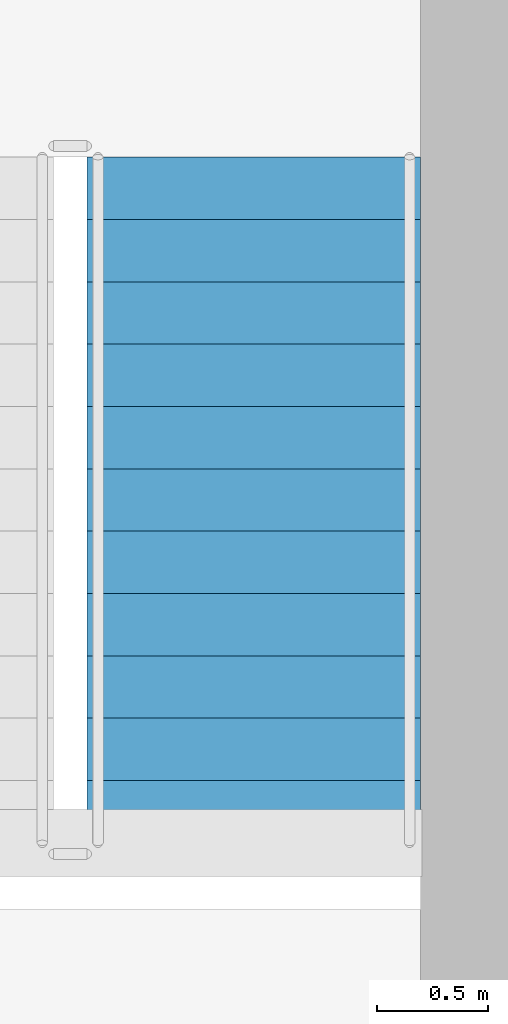
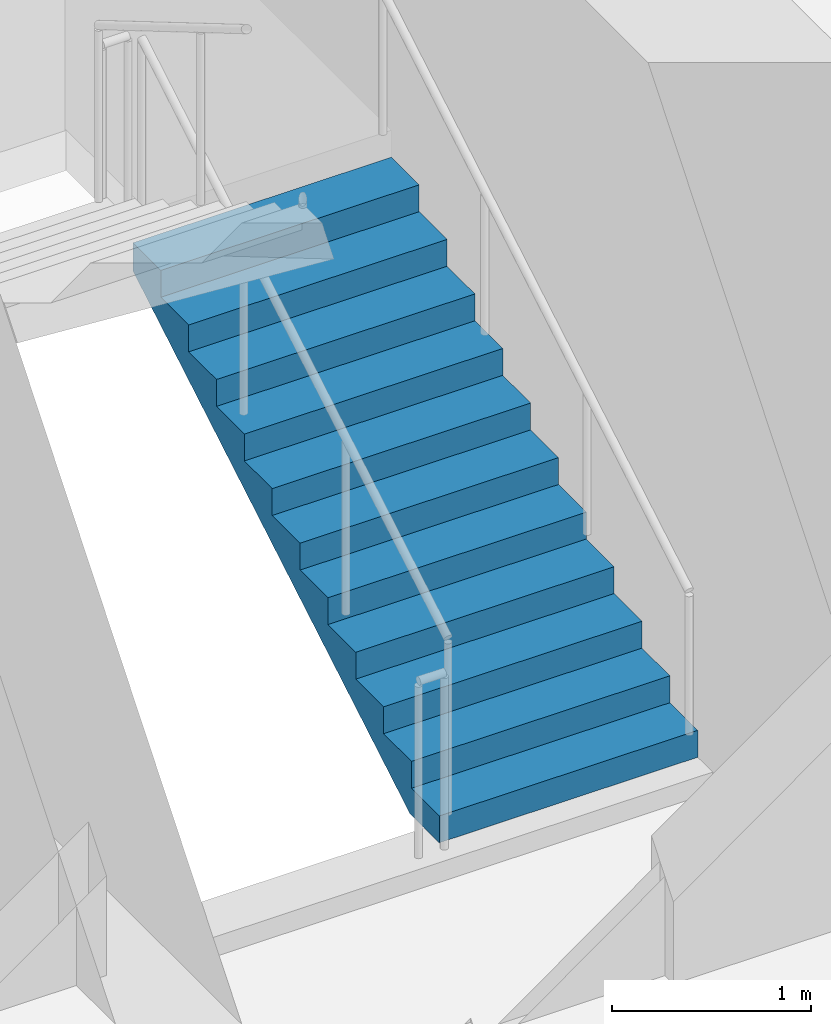
# One storey, part 9 of 14: 1 stair flight, 1 element without a shape of its own.
"""IFC4 building model written with IfcOpenShell, lengths in metres."""

import ifcopenshell
import ifcopenshell.guid

model = None  # the IFC model being written
_history = None  # IfcOwnerHistory: only IFC2X3 demands one
_inside = {}  # id of a spatial element -> (the spatial element, [elements in it])
_under = {}  # id of a project, library or spatial element -> (it, [spatial elements below it])
_declared = {}  # id of a project -> (the project, [libraries it declares])
_typed = {}  # id of a type object -> (the type object, [elements of that type])
_made_of = {}  # id of a material, layer set ... -> (it, [elements and type objects made of it])


def new_model(schema):
    """Start an empty IFC model of exactly this schema.

    Asked for "IFC4X3", IfcOpenShell would pick the latest addendum, in which some entities
    have other attributes; the version numbers below select the first issue.
    IFC2X3 requires an IfcOwnerHistory on every rooted entity: one is made here for all.
    """
    global model, _history
    if schema == "IFC4X3":
        model = ifcopenshell.file(schema_version=(4, 3, 0, 0))
    else:
        model = ifcopenshell.file(schema=schema)
    _inside.clear()
    _under.clear()
    _declared.clear()
    _typed.clear()
    _made_of.clear()
    _history = None
    if model.schema == "IFC2X3":
        org = make("IfcOrganization", Name="unknown")
        user = make(
            "IfcPersonAndOrganization",
            ThePerson=make("IfcPerson", FamilyName="unknown"),
            TheOrganization=org,
        )
        app = make(
            "IfcApplication",
            ApplicationDeveloper=org,
            Version="unknown",
            ApplicationFullName="unknown",
            ApplicationIdentifier="unknown",
        )
        _history = make(
            "IfcOwnerHistory",
            OwningUser=user,
            OwningApplication=app,
            ChangeAction="ADDED",
            CreationDate=0,
        )
    return model


def make(cls, **values):
    """One entity of the class cls with the attributes given. An attribute that is None is left unset."""
    return model.create_entity(
        cls, **{name: value for name, value in values.items() if value is not None}
    )


def rooted(cls, **values):
    """An entity with a GlobalId (a new one), such as an element, a storey or a relation."""
    return make(cls, GlobalId=ifcopenshell.guid.new(), OwnerHistory=_history, **values)


def si_unit(unit_type, name, prefix=None):
    """IfcSIUnit, for example si_unit("LENGTHUNIT", "METRE", prefix="MILLI")."""
    return make("IfcSIUnit", UnitType=unit_type, Prefix=prefix, Name=name)


def assignment(units):
    """IfcUnitAssignment: the units of a project."""
    return None if units is None else make("IfcUnitAssignment", Units=units)


def point(xyz):
    """IfcCartesianPoint."""
    return None if xyz is None else make("IfcCartesianPoint", Coordinates=xyz)


def direction(xyz):
    """IfcDirection."""
    return None if xyz is None else make("IfcDirection", DirectionRatios=xyz)


def frame(location, z_axis=None, x_axis=None):
    """IfcAxis2Placement3D, a coordinate frame: its origin and axes. An axis left out is left unset."""
    return make(
        "IfcAxis2Placement3D",
        Location=point(location),
        Axis=direction(z_axis),
        RefDirection=direction(x_axis),
    )


def origin():
    """The frame at (0, 0, 0) with its axes left unset."""
    return frame((0.0, 0.0, 0.0))


def place(relative_to, where):
    """IfcLocalPlacement: puts the frame where relative to a parent placement (None: the world)."""
    return make(
        "IfcLocalPlacement", PlacementRelTo=relative_to, RelativePlacement=where
    )


def context(
    kind, dimensions, precision=None, world=None, true_north=None, identifier=None
):
    """IfcGeometricRepresentationContext, for example the 3D "Model" context."""
    return make(
        "IfcGeometricRepresentationContext",
        ContextIdentifier=identifier,
        ContextType=kind,
        CoordinateSpaceDimension=dimensions,
        Precision=precision,
        WorldCoordinateSystem=world,
        TrueNorth=true_north,
    )


def subcontext(parent, identifier, kind, view, scale=None):
    """IfcGeometricRepresentationSubContext, for example "Body" below "Model"."""
    return make(
        "IfcGeometricRepresentationSubContext",
        ContextIdentifier=identifier,
        ContextType=kind,
        ParentContext=parent,
        TargetScale=scale,
        TargetView=view,
    )


def project(units=None, contexts=None):
    """IfcProject with its units and contexts."""
    return rooted(
        "IfcProject",
        Name="project",
        RepresentationContexts=contexts,
        UnitsInContext=assignment(units),
    )


def spatial(cls, under=None, at=None, **own):
    """A site, building, storey or space (cls), placed at a placement, below another one or the project."""
    s = rooted(cls, ObjectPlacement=at, **own)
    if under is not None:
        _under.setdefault(under.id(), (under, []))[1].append(s)
    return s


def polyline(points):
    """IfcPolyline through the points."""
    return make("IfcPolyline", Points=[point(p) for p in points])


def outline(outer, holes=None, kind="AREA"):
    """IfcArbitraryClosedProfileDef: a profile drawn as a closed curve; with holes, ...WithVoids."""
    if holes is None:
        return make("IfcArbitraryClosedProfileDef", ProfileType=kind, OuterCurve=outer)
    return make(
        "IfcArbitraryProfileDefWithVoids",
        ProfileType=kind,
        OuterCurve=outer,
        InnerCurves=holes,
    )


def extrude(swept, where, along, depth):
    """IfcExtrudedAreaSolid: the profile swept, set in the frame where, extruded along a direction by depth."""
    return make(
        "IfcExtrudedAreaSolid",
        SweptArea=swept,
        Position=where,
        ExtrudedDirection=direction(along),
        Depth=depth,
    )


def shape(context_of_items, identifier, shape_type, items):
    """IfcShapeRepresentation: the items that make up one representation, for example the "Body"."""
    return make(
        "IfcShapeRepresentation",
        ContextOfItems=context_of_items,
        RepresentationIdentifier=identifier,
        RepresentationType=shape_type,
        Items=items,
    )


def material(Name=None, Category=None):
    """IfcMaterial."""
    return make("IfcMaterial", Name=Name, Category=Category)


def made_of(thing, what):
    """Note that an element or type object is made of a material, layer set ...; save() writes the relation."""
    if what is not None:
        _made_of.setdefault(what.id(), (what, []))[1].append(thing)
    return thing


def type_object(cls, material=None, **own):
    """A type object (cls), such as IfcWallType, which elements share."""
    return made_of(rooted(cls, **own), material)


def element(
    cls,
    number,
    at=None,
    inside=None,
    cuts=None,
    type_object=None,
    material=None,
    context=None,
    identifier="Body",
    shape_type=None,
    held_by="IfcProductDefinitionShape",
    body=None,
    shapes=None,
    **own,
):
    """One element of the class cls, such as IfcWall. Its Tag is "e" and its number.

    at: its placement. inside: the storey or other place that contains it. cuts: it is an
    opening in that element (IfcRelVoidsElement). A single representation is given by context,
    identifier, shape_type and body (its items); several are given by shapes. held_by: the class
    of the entity that holds the representations. save() writes the other relations.
    """
    e = rooted(cls, Tag="e%d" % number, ObjectPlacement=at, **own)
    if body is not None:
        shapes = [shape(context, identifier, shape_type, body)]
    if shapes is not None:
        e.Representation = make(held_by, Representations=shapes)
    if inside is not None:
        _inside.setdefault(inside.id(), (inside, []))[1].append(e)
    if cuts is not None:
        rooted(
            "IfcRelVoidsElement", RelatingBuildingElement=cuts, RelatedOpeningElement=e
        )
    if type_object is not None:
        _typed.setdefault(type_object.id(), (type_object, []))[1].append(e)
    return made_of(e, material)


def aggregate(whole, parts):
    """IfcRelAggregates: a whole, such as a stair, and the parts it consists of."""
    return rooted("IfcRelAggregates", RelatingObject=whole, RelatedObjects=parts)


def save(model, path):
    """Write the relations noted so far, then the file.

    IfcRelAggregates (storeys below a building ...), IfcRelContainedInSpatialStructure (elements
    in a storey), IfcRelDefinesByType, IfcRelAssociatesMaterial and IfcRelDeclares: one each for
    every whole, place, type object, material and project.
    """
    for whole, parts in _under.values():
        aggregate(whole, parts)
    for where, things in _inside.values():
        rooted(
            "IfcRelContainedInSpatialStructure",
            RelatedElements=things,
            RelatingStructure=where,
        )
    for kind, things in _typed.values():
        rooted("IfcRelDefinesByType", RelatedObjects=things, RelatingType=kind)
    for what, things in _made_of.values():
        rooted("IfcRelAssociatesMaterial", RelatedObjects=things, RelatingMaterial=what)
    for by, libraries in _declared.values():
        rooted("IfcRelDeclares", RelatingContext=by, RelatedDefinitions=libraries)
    model.write(path)


model = new_model("IFC4")

# Units and contexts
model_context = context("Model", 3, precision=1e-05, world=origin(), true_north=direction((0.0, 1.0)))
body_context = subcontext(model_context, "Body", "Model", "MODEL_VIEW")
ifc_project = project(units=[si_unit("LENGTHUNIT", "METRE"), si_unit("AREAUNIT", "SQUARE_METRE"), si_unit("VOLUMEUNIT", "CUBIC_METRE"), si_unit("PLANEANGLEUNIT", "RADIAN"), si_unit("MASSUNIT", "GRAM", prefix="KILO")], contexts=[model_context])

# Site, building, storey
site_placement = place(None, origin())
site = spatial("IfcSite", under=ifc_project, at=site_placement, CompositionType="ELEMENT")
building_placement = place(site_placement, origin())
building = spatial("IfcBuilding", under=site, at=building_placement, Name="Kefirva Bronze Tower", CompositionType="ELEMENT")
storey_placement = place(building_placement, frame((0.0, 0.0, 66.0)))
storey = spatial("IfcBuildingStorey", under=building, at=storey_placement, Name="L15", CompositionType="ELEMENT", Elevation=66.0)

# Stair, stair flight
ifc_material = material(Name="Concrete C40/50", Category="concrete")
stair_type = type_object("IfcStairType", Name="RC Dogleg Protected Stair 24R", PredefinedType="HALF_TURN_STAIR", material=ifc_material)
stair_placement = place(storey_placement, origin())
stair = element("IfcStair", 1, at=stair_placement, inside=storey, type_object=stair_type, Name="L15 Protected Exit Stair 2", PredefinedType="HALF_TURN_STAIR")
stair_flight_type = type_object("IfcStairFlightType", Name="RC Straight Stair Flight 24R", PredefinedType="STRAIGHT", material=ifc_material)
stair_flight_placement = place(storey_placement, frame((22.300048828125, 38.699951171875, 0.0), z_axis=(0.0, 0.0, 1.0), x_axis=(0.0, 1.0, 0.0)))
stair_flight = element("IfcStairFlight", 2, at=stair_flight_placement, type_object=stair_flight_type, Name="ST-2 flight 1", NumberOfRisers=12, NumberOfTreads=11, PredefinedType="STRAIGHT", RiserHeight=0.165, TreadLength=0.28, context=body_context, shape_type="SweptSolid", body=[
    extrude(outline(polyline([(0.0, 0.0), (0.0, 0.1650390625), (0.280029296875, 0.1650390625), (0.280029296875, 0.330078125), (0.56005859375, 0.330078125), (0.56005859375, 0.4951171875), (0.840087890625, 0.4951171875), (0.840087890625, 0.659912109375), (1.1201171875, 0.659912109375), (1.1201171875, 0.824951171875), (1.39990234375, 0.824951171875), (1.39990234375, 0.989990234375), (1.679931640625, 0.989990234375), (1.679931640625, 1.155029296875), (1.9599609375, 1.155029296875), (1.9599609375, 1.320068359375), (2.239990234375, 1.320068359375), (2.239990234375, 1.485107421875), (2.52001953125, 1.485107421875), (2.52001953125, 1.64990234375), (2.800048828125, 1.64990234375), (2.800048828125, 1.81494140625), (3.080078125, 1.81494140625), (3.080078125, 1.97998046875), (3.080078125, 1.64111328125), (0.295166015625, 0.0), (0.0, 0.0)])), frame((0.0, 0.75, 0.0), z_axis=(0.0, -1.0, 0.0), x_axis=(1.0, 0.0, 0.0)), (0.0, 0.0, 1.0), 1.5),
])
aggregate(stair, [stair_flight])

save(model, "model.ifc")
